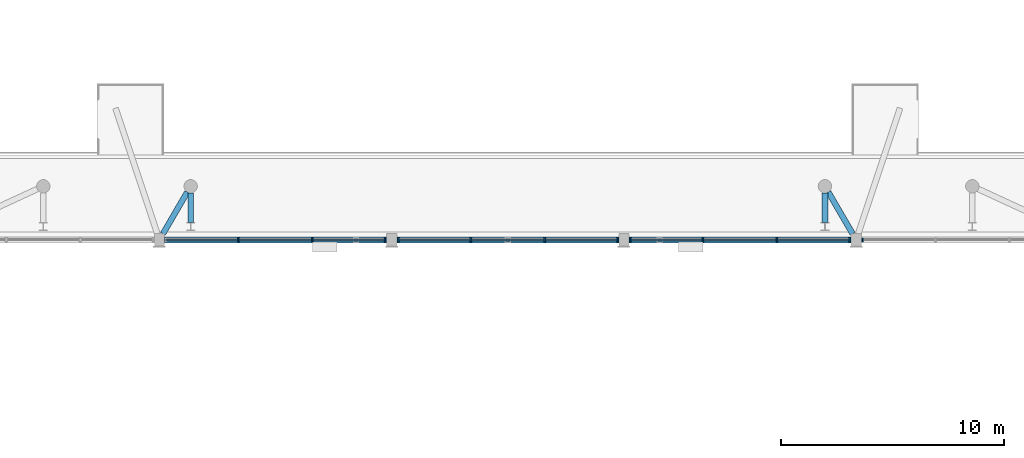
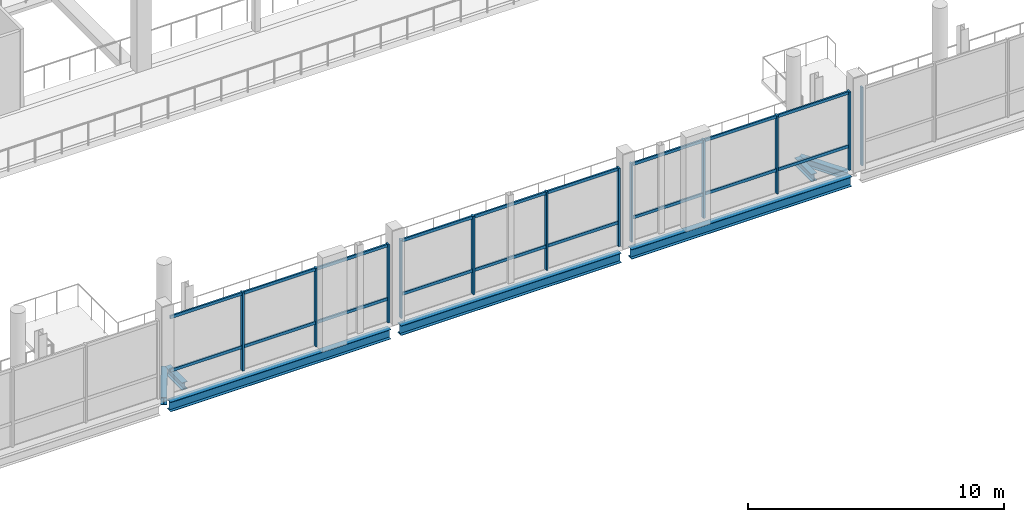
# One storey, part 28 of 95: 18 members, 7 beams, 4 elements without a shape of their own.
"""IFC4 building model written with IfcOpenShell, lengths in metres."""

from ifc_helpers import new_model, si_unit, derived_unit, direction, frame, origin, origin_2d, place, context, subcontext, project, spatial, rectangle, i_section, extrude, material, material_profile, profile_set, type_object, element, aggregate, save


model = new_model("IFC4")

# Units and contexts
model_context = context("Model", 3, precision=1e-05, world=origin(), true_north=direction((0.0, 1.0)))
body_context = subcontext(model_context, "Body", "Model", "MODEL_VIEW")
ifc_project = project(units=[si_unit("LENGTHUNIT", "METRE"), si_unit("AREAUNIT", "SQUARE_METRE"), si_unit("VOLUMEUNIT", "CUBIC_METRE"), si_unit("PLANEANGLEUNIT", "RADIAN"), si_unit("MASSUNIT", "GRAM", prefix="KILO"), derived_unit("THERMALTRANSMITTANCEUNIT", [(si_unit("POWERUNIT", "WATT"), 1), (si_unit("LENGTHUNIT", "METRE"), -2), (si_unit("THERMODYNAMICTEMPERATUREUNIT", "KELVIN"), -1)])], contexts=[model_context])

# Site, building, storey
site_placement = place(None, origin())
site = spatial("IfcSite", under=ifc_project, at=site_placement, CompositionType="ELEMENT")
building_placement = place(site_placement, origin())
building = spatial("IfcBuilding", under=site, at=building_placement, Name="Braskholm Square Health Centre", CompositionType="ELEMENT")
storey_placement = place(building_placement, frame((0.0, 0.0, 4.800048828125)))
storey = spatial("IfcBuildingStorey", under=building, at=storey_placement, Name="L02", CompositionType="ELEMENT", Elevation=4.800048828125)

# Curtain wall, member
ifc_material_1 = material(Name="Low-E triple insulating glass (VLT 0.64)", Category="glass")
curtain_wall_type = type_object("IfcCurtainWallType", Name="UnitisedCurtainWall6200x3800", PredefinedType="NOTDEFINED", material=ifc_material_1)
curtain_wall_1_placement = place(storey_placement, origin())
curtain_wall_1 = element("IfcCurtainWall", 1, at=curtain_wall_1_placement, inside=storey, type_object=curtain_wall_type, Name="Hall Gallery L02 unitised curtain wall CW-L02-0196", PredefinedType="NOTDEFINED")
ifc_material_2 = material(Name="Architectural bronze anodised aluminium", Category="aluminium")
ifc_material_profile_1 = material_profile(ifc_material_2, rectangle(XDim=0.06494140625, YDim=0.14990234375, at=origin_2d()), Name="ALU-65X150")
ifc_profile_set_1 = profile_set([ifc_material_profile_1], Name="Architectural bronze anodised aluminium")
member_type_1 = type_object("IfcMemberType", Name="CurtainWallMullion65x150", PredefinedType="MULLION", material=ifc_profile_set_1)
member_1_placement = place(storey_placement, frame((99.8916015625, 87.199951171875, 0.0), z_axis=(0.0, 0.0, 1.0), x_axis=(1.0, 0.0, 0.0)))
member_1 = element("IfcMember", 2, at=member_1_placement, type_object=member_type_1, Name="CW-L02-0196 vertical mullion 1", PredefinedType="MULLION", context=body_context, shape_type="SweptSolid", body=[
    extrude(rectangle(XDim=0.06494140625, YDim=0.14990234375, at=origin_2d()), origin(), (0.0, 0.0, 1.0), 3.737060546875),
])
aggregate(curtain_wall_1, [member_1])

# Curtain wall, members
curtain_wall_2_placement = place(storey_placement, origin())
curtain_wall_2 = element("IfcCurtainWall", 3, at=curtain_wall_2_placement, inside=storey, type_object=curtain_wall_type, Name="Hall Gallery L02 unitised curtain wall CW-L02-0189", PredefinedType="NOTDEFINED")
ifc_material_profile_2 = material_profile(ifc_material_2, rectangle(XDim=0.074951171875, YDim=0.179931640625, at=origin_2d()), Name="ALU-75X180")
ifc_profile_set_2 = profile_set([ifc_material_profile_2], Name="Architectural bronze anodised aluminium")
member_type_2 = type_object("IfcMemberType", Name="CurtainWallMullion75x180", PredefinedType="MULLION", material=ifc_profile_set_2)
member_2_placement = place(storey_placement, frame((71.944091796875, 87.199951171875, 0.0), z_axis=(0.0, 0.0, 1.0), x_axis=(1.0, 0.0, 0.0)))
member_2 = element("IfcMember", 4, at=member_2_placement, type_object=member_type_2, Name="CW-L02-0189 vertical mullion 2", PredefinedType="MULLION", context=body_context, shape_type="SweptSolid", body=[
    extrude(rectangle(XDim=0.074951171875, YDim=0.179931640625, at=origin_2d()), origin(), (0.0, 0.0, 1.0), 3.737060546875),
])
member_3_placement = place(storey_placement, frame((75.256103515625, 87.199951171875, 0.0), z_axis=(0.0, 0.0, 1.0), x_axis=(1.0, 0.0, 0.0)))
member_3 = element("IfcMember", 5, at=member_3_placement, type_object=member_type_2, Name="CW-L02-0189 vertical mullion 3", PredefinedType="MULLION", context=body_context, shape_type="SweptSolid", body=[
    extrude(rectangle(XDim=0.074951171875, YDim=0.179931640625, at=origin_2d()), origin(), (0.0, 0.0, 1.0), 3.737060546875),
])
member_4_placement = place(storey_placement, frame((78.50830078125, 87.199951171875, 0.0), z_axis=(0.0, 0.0, 1.0), x_axis=(1.0, 0.0, 0.0)))
member_4 = element("IfcMember", 6, at=member_4_placement, type_object=member_type_2, Name="CW-L02-0189 vertical mullion 4", PredefinedType="MULLION", context=body_context, shape_type="SweptSolid", body=[
    extrude(rectangle(XDim=0.074951171875, YDim=0.179931640625, at=origin_2d()), origin(), (0.0, 0.0, 1.0), 3.737060546875),
])

curtain_wall_3_placement = place(storey_placement, origin())
curtain_wall_3 = element("IfcCurtainWall", 7, at=curtain_wall_3_placement, inside=storey, type_object=curtain_wall_type, Name="Hall Gallery L02 unitised curtain wall CW-L02-0191", PredefinedType="NOTDEFINED")
member_5_placement = place(storey_placement, frame((79.091552734375, 87.199951171875, 0.0), z_axis=(0.0, 0.0, 1.0), x_axis=(1.0, 0.0, 0.0)))
member_5 = element("IfcMember", 8, at=member_5_placement, type_object=member_type_2, Name="CW-L02-0191 vertical mullion 1", PredefinedType="MULLION", context=body_context, shape_type="SweptSolid", body=[
    extrude(rectangle(XDim=0.074951171875, YDim=0.179931640625, at=origin_2d()), origin(), (0.0, 0.0, 1.0), 3.737060546875),
])
member_6_placement = place(storey_placement, frame((82.343994140625, 87.199951171875, 0.0), z_axis=(0.0, 0.0, 1.0), x_axis=(1.0, 0.0, 0.0)))
member_6 = element("IfcMember", 9, at=member_6_placement, type_object=member_type_2, Name="CW-L02-0191 vertical mullion 2", PredefinedType="MULLION", context=body_context, shape_type="SweptSolid", body=[
    extrude(rectangle(XDim=0.074951171875, YDim=0.179931640625, at=origin_2d()), origin(), (0.0, 0.0, 1.0), 3.737060546875),
])
member_7_placement = place(storey_placement, frame((85.656005859375, 87.199951171875, 0.0), z_axis=(0.0, 0.0, 1.0), x_axis=(1.0, 0.0, 0.0)))
member_7 = element("IfcMember", 10, at=member_7_placement, type_object=member_type_2, Name="CW-L02-0191 vertical mullion 3", PredefinedType="MULLION", context=body_context, shape_type="SweptSolid", body=[
    extrude(rectangle(XDim=0.074951171875, YDim=0.179931640625, at=origin_2d()), origin(), (0.0, 0.0, 1.0), 3.737060546875),
])
member_8_placement = place(storey_placement, frame((88.908447265625, 87.199951171875, 0.0), z_axis=(0.0, 0.0, 1.0), x_axis=(1.0, 0.0, 0.0)))
member_8 = element("IfcMember", 11, at=member_8_placement, type_object=member_type_2, Name="CW-L02-0191 vertical mullion 4", PredefinedType="MULLION", context=body_context, shape_type="SweptSolid", body=[
    extrude(rectangle(XDim=0.074951171875, YDim=0.179931640625, at=origin_2d()), origin(), (0.0, 0.0, 1.0), 3.737060546875),
])

curtain_wall_4_placement = place(storey_placement, origin())
curtain_wall_4 = element("IfcCurtainWall", 12, at=curtain_wall_4_placement, inside=storey, type_object=curtain_wall_type, Name="Hall Gallery L02 unitised curtain wall CW-L02-0193", PredefinedType="NOTDEFINED")
member_9_placement = place(storey_placement, frame((89.49169921875, 87.199951171875, 0.0), z_axis=(0.0, 0.0, 1.0), x_axis=(1.0, 0.0, 0.0)))
member_9 = element("IfcMember", 13, at=member_9_placement, type_object=member_type_2, Name="CW-L02-0193 vertical mullion 1", PredefinedType="MULLION", context=body_context, shape_type="SweptSolid", body=[
    extrude(rectangle(XDim=0.074951171875, YDim=0.179931640625, at=origin_2d()), origin(), (0.0, 0.0, 1.0), 3.737060546875),
])
member_10_placement = place(storey_placement, frame((92.743896484375, 87.199951171875, 0.0), z_axis=(0.0, 0.0, 1.0), x_axis=(1.0, 0.0, 0.0)))
member_10 = element("IfcMember", 14, at=member_10_placement, type_object=member_type_2, Name="CW-L02-0193 vertical mullion 2", PredefinedType="MULLION", context=body_context, shape_type="SweptSolid", body=[
    extrude(rectangle(XDim=0.074951171875, YDim=0.179931640625, at=origin_2d()), origin(), (0.0, 0.0, 1.0), 3.737060546875),
])
member_11_placement = place(storey_placement, frame((96.055908203125, 87.199951171875, 0.0), z_axis=(0.0, 0.0, 1.0), x_axis=(1.0, 0.0, 0.0)))
member_11 = element("IfcMember", 15, at=member_11_placement, type_object=member_type_2, Name="CW-L02-0193 vertical mullion 3", PredefinedType="MULLION", context=body_context, shape_type="SweptSolid", body=[
    extrude(rectangle(XDim=0.074951171875, YDim=0.179931640625, at=origin_2d()), origin(), (0.0, 0.0, 1.0), 3.737060546875),
])
member_12_placement = place(storey_placement, frame((99.308349609375, 87.199951171875, 0.0), z_axis=(0.0, 0.0, 1.0), x_axis=(1.0, 0.0, 0.0)))
member_12 = element("IfcMember", 16, at=member_12_placement, type_object=member_type_2, Name="CW-L02-0193 vertical mullion 4", PredefinedType="MULLION", context=body_context, shape_type="SweptSolid", body=[
    extrude(rectangle(XDim=0.074951171875, YDim=0.179931640625, at=origin_2d()), origin(), (0.0, 0.0, 1.0), 3.737060546875),
])

# Member
ifc_material_profile_3 = material_profile(ifc_material_2, rectangle(XDim=0.074951171875, YDim=0.139892578125, at=origin_2d()), Name="ALU-75X140")
ifc_profile_set_3 = profile_set([ifc_material_profile_3], Name="Architectural bronze anodised aluminium")
member_type_3 = type_object("IfcMemberType", Name="CurtainWallTransom75x140", PredefinedType="USERDEFINED", material=ifc_profile_set_3)
member_13_placement = place(storey_placement, frame((68.677001953125, 87.199951171875, 1.119873046875), z_axis=(1.0, 0.0, 0.0), x_axis=(0.0, 1.0, 0.0)))
member_13 = element("IfcMember", 17, at=member_13_placement, type_object=member_type_3, Name="CW-L02-0189 horizontal transom 1", ObjectType="TRANSOM", PredefinedType="USERDEFINED", context=body_context, shape_type="SweptSolid", body=[
    extrude(rectangle(XDim=0.074951171875, YDim=0.139892578125, at=origin_2d()), origin(), (0.0, 0.0, 1.0), 9.845947265625),
])

member_14_placement = place(storey_placement, frame((68.677001953125, 87.199951171875, 3.6669921875), z_axis=(1.0, 0.0, 0.0), x_axis=(0.0, 1.0, 0.0)))
member_14 = element("IfcMember", 18, at=member_14_placement, type_object=member_type_3, Name="CW-L02-0189 horizontal transom 2", ObjectType="TRANSOM", PredefinedType="USERDEFINED", context=body_context, shape_type="SweptSolid", body=[
    extrude(rectangle(XDim=0.074951171875, YDim=0.139892578125, at=origin_2d()), origin(), (0.0, 0.0, 1.0), 9.845947265625),
])

aggregate(curtain_wall_2, [member_2, member_3, member_4, member_13, member_14])

member_15_placement = place(storey_placement, frame((79.076904296875, 87.199951171875, 1.119873046875), z_axis=(1.0, 0.0, 0.0), x_axis=(0.0, 1.0, 0.0)))
member_15 = element("IfcMember", 19, at=member_15_placement, type_object=member_type_3, Name="CW-L02-0191 horizontal transom 1", ObjectType="TRANSOM", PredefinedType="USERDEFINED", context=body_context, shape_type="SweptSolid", body=[
    extrude(rectangle(XDim=0.074951171875, YDim=0.139892578125, at=origin_2d()), origin(), (0.0, 0.0, 1.0), 9.84619140625),
])

member_16_placement = place(storey_placement, frame((79.076904296875, 87.199951171875, 3.6669921875), z_axis=(1.0, 0.0, 0.0), x_axis=(0.0, 1.0, 0.0)))
member_16 = element("IfcMember", 20, at=member_16_placement, type_object=member_type_3, Name="CW-L02-0191 horizontal transom 2", ObjectType="TRANSOM", PredefinedType="USERDEFINED", context=body_context, shape_type="SweptSolid", body=[
    extrude(rectangle(XDim=0.074951171875, YDim=0.139892578125, at=origin_2d()), origin(), (0.0, 0.0, 1.0), 9.84619140625),
])

aggregate(curtain_wall_3, [member_5, member_6, member_7, member_8, member_15, member_16])

member_17_placement = place(storey_placement, frame((89.47705078125, 87.199951171875, 1.119873046875), z_axis=(1.0, 0.0, 0.0), x_axis=(0.0, 1.0, 0.0)))
member_17 = element("IfcMember", 21, at=member_17_placement, type_object=member_type_3, Name="CW-L02-0193 horizontal transom 1", ObjectType="TRANSOM", PredefinedType="USERDEFINED", context=body_context, shape_type="SweptSolid", body=[
    extrude(rectangle(XDim=0.074951171875, YDim=0.139892578125, at=origin_2d()), origin(), (0.0, 0.0, 1.0), 9.845947265625),
])

member_18_placement = place(storey_placement, frame((89.47705078125, 87.199951171875, 3.6669921875), z_axis=(1.0, 0.0, 0.0), x_axis=(0.0, 1.0, 0.0)))
member_18 = element("IfcMember", 22, at=member_18_placement, type_object=member_type_3, Name="CW-L02-0193 horizontal transom 2", ObjectType="TRANSOM", PredefinedType="USERDEFINED", context=body_context, shape_type="SweptSolid", body=[
    extrude(rectangle(XDim=0.074951171875, YDim=0.139892578125, at=origin_2d()), origin(), (0.0, 0.0, 1.0), 9.845947265625),
])

aggregate(curtain_wall_4, [member_9, member_10, member_11, member_12, member_17, member_18])

# Beams
ifc_material_3 = material(Name="Steel ASTM A992 Grade 50", Category="steel")
ifc_material_profile_4 = material_profile(ifc_material_3, i_section(OverallWidth=0.2548828125, OverallDepth=0.35693359375, WebThickness=0.010498046875, FlangeThickness=0.018310546875, at=origin_2d()), Name="W14X68")
ifc_profile_set_4 = profile_set([ifc_material_profile_4], Name="Steel ASTM A992 Grade 50")
beam_type_1 = type_object("IfcBeamType", Name="SteelBeamCanopyW14X68", PredefinedType="BEAM", material=ifc_profile_set_4)
for number, where, z_axis, x_axis, name in (
    (23, (69.64990234375, 89.342529296875, -0.478515625), (-0.503927288907, -0.863746078136, 0.0), (0.863746078136, -0.503927288907, 0.0), "Tie beam RC03 L02"),
    (24, (98.35009765625, 89.342529296875, -0.478515625), (0.503927288907, -0.863746078136, 0.0), (0.863746078136, 0.503927288907, 0.0), "Tie beam RC04 L02"),
):
    element("IfcBeam", number, at=place(storey_placement, frame(where, z_axis=z_axis, x_axis=x_axis)), inside=storey, type_object=beam_type_1, Name=name, PredefinedType="BEAM", context=body_context, shape_type="SweptSolid", body=[
        extrude(i_section(OverallWidth=0.2548828125, OverallDepth=0.35693359375, WebThickness=0.010498046875, FlangeThickness=0.018310546875, at=origin_2d()), origin(), (0.0, 0.0, 1.0), 2.158447265625),
    ])
for number, where, z_axis, x_axis, name in (
    (25, (69.800048828125, 87.97607421875, -0.478515625), (0.0, 1.0, 0.0), (-1.0, 0.0, 0.0), "Tie beam CS1C L02"),
    (26, (98.199951171875, 87.97607421875, -0.478515625), (0.0, 1.0, 0.0), (-1.0, 0.0, 0.0), "Tie beam CS1D L02"),
):
    element("IfcBeam", number, at=place(storey_placement, frame(where, z_axis=z_axis, x_axis=x_axis)), inside=storey, type_object=beam_type_1, Name=name, PredefinedType="BEAM", context=body_context, shape_type="SweptSolid", body=[
        extrude(i_section(OverallWidth=0.2548828125, OverallDepth=0.35693359375, WebThickness=0.010498046875, FlangeThickness=0.018310546875, at=origin_2d()), origin(), (0.0, 0.0, 1.0), 1.325927734375),
    ])
ifc_material_profile_5 = material_profile(ifc_material_3, i_section(OverallWidth=0.280029296875, OverallDepth=0.462890625, WebThickness=0.0107421875, FlangeThickness=0.017333984375, at=origin_2d()), Name="W18X76")
ifc_profile_set_5 = profile_set([ifc_material_profile_5], Name="Steel ASTM A992 Grade 50")
beam_type_2 = type_object("IfcBeamType", Name="SteelGirderGalleryW18X76", PredefinedType="BEAM", material=ifc_profile_set_5)
beam_1_placement = place(storey_placement, frame((68.6298828125, 87.199951171875, -0.531494140625), z_axis=(1.0, 0.0, 0.0), x_axis=(0.0, 1.0, 0.0)))
element("IfcBeam", 27, at=beam_1_placement, inside=storey, type_object=beam_type_2, Name="Beam 10-11/N L02", PredefinedType="BEAM", context=body_context, shape_type="SweptSolid", body=[
    extrude(i_section(OverallWidth=0.280029296875, OverallDepth=0.462890625, WebThickness=0.0107421875, FlangeThickness=0.017333984375, at=origin_2d()), origin(), (0.0, 0.0, 1.0), 9.940185546875),
])
beam_2_placement = place(storey_placement, frame((79.030029296875, 87.199951171875, -0.531494140625), z_axis=(1.0, 0.0, 0.0), x_axis=(0.0, 1.0, 0.0)))
element("IfcBeam", 28, at=beam_2_placement, inside=storey, type_object=beam_type_2, Name="Beam 11-12/N L02", PredefinedType="BEAM", context=body_context, shape_type="SweptSolid", body=[
    extrude(i_section(OverallWidth=0.280029296875, OverallDepth=0.462890625, WebThickness=0.0107421875, FlangeThickness=0.017333984375, at=origin_2d()), origin(), (0.0, 0.0, 1.0), 9.93994140625),
])
beam_3_placement = place(storey_placement, frame((89.429931640625, 87.199951171875, -0.531494140625), z_axis=(1.0, 0.0, 0.0), x_axis=(0.0, 1.0, 0.0)))
element("IfcBeam", 29, at=beam_3_placement, inside=storey, type_object=beam_type_2, Name="Beam 12-13/N L02", PredefinedType="BEAM", context=body_context, shape_type="SweptSolid", body=[
    extrude(i_section(OverallWidth=0.280029296875, OverallDepth=0.462890625, WebThickness=0.0107421875, FlangeThickness=0.017333984375, at=origin_2d()), origin(), (0.0, 0.0, 1.0), 9.940185546875),
])

save(model, "model.ifc")
